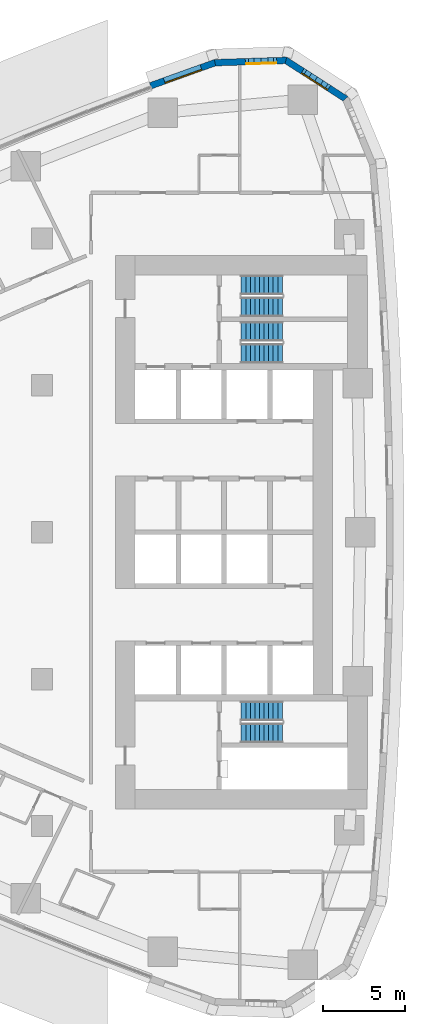
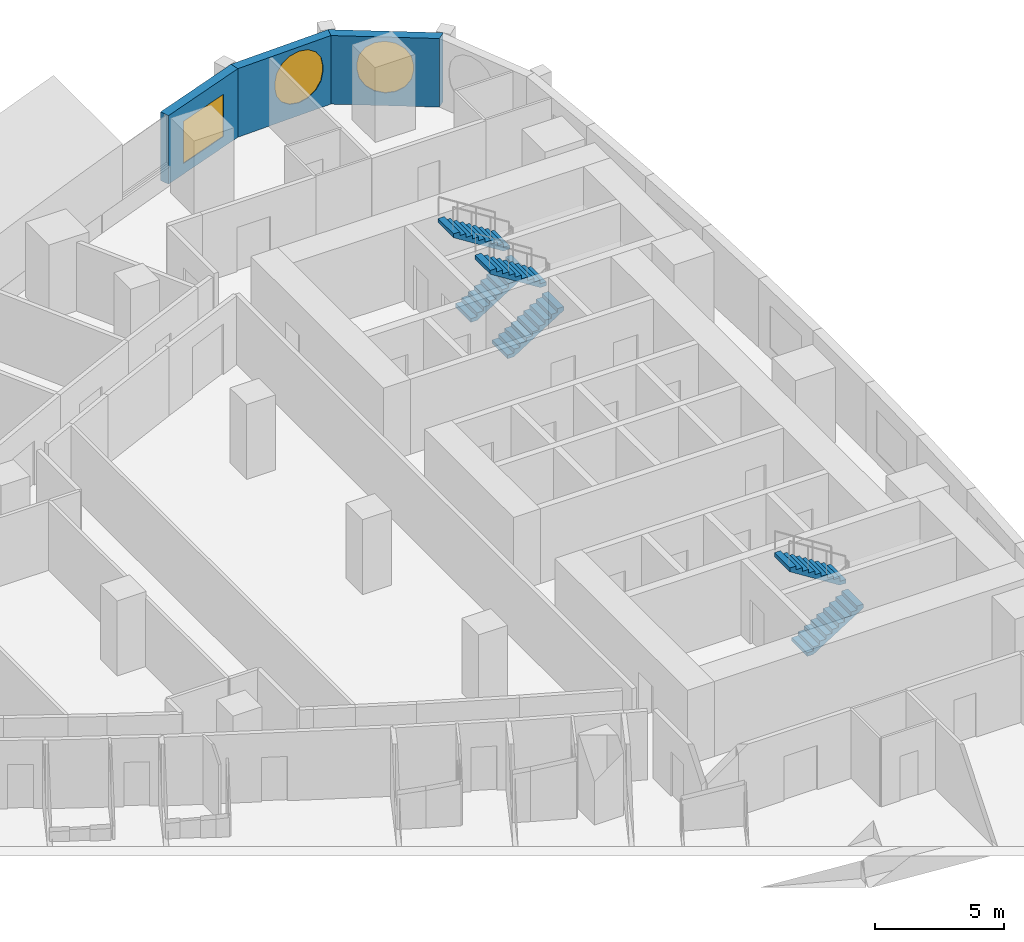
# One storey, part 14 of 19: 6 stair flights, 3 walls, 3 windows, 3 openings, 3 elements without a shape of their own.
"""IFC4 building model written with IfcOpenShell, lengths in metres."""

from ifc_helpers import new_model, si_unit, direction, frame, frame_2d, origin, place, context, subcontext, project, spatial, polyline, rectangle, outline, extrude, material, layer, layer_set, type_object, element, fill, aggregate, save


model = new_model("IFC4")

# Units and contexts
model_context = context("Model", 3, precision=1e-05, world=origin(), true_north=direction((0.0, 1.0)))
body_context = subcontext(model_context, "Body", "Model", "MODEL_VIEW")
ifc_project = project(units=[si_unit("LENGTHUNIT", "METRE"), si_unit("AREAUNIT", "SQUARE_METRE"), si_unit("VOLUMEUNIT", "CUBIC_METRE"), si_unit("PLANEANGLEUNIT", "RADIAN"), si_unit("MASSUNIT", "GRAM", prefix="KILO")], contexts=[model_context])

# Site, building, storey
site_placement = place(None, origin())
site = spatial("IfcSite", under=ifc_project, at=site_placement, CompositionType="ELEMENT")
building_placement = place(site_placement, origin())
building = spatial("IfcBuilding", under=site, at=building_placement, Name="Ostrand Prow Hotel Tower", CompositionType="ELEMENT")
storey_placement = place(building_placement, frame((0.0, 0.0, 46.699951171875)))
storey = spatial("IfcBuildingStorey", under=building, at=storey_placement, Name="L09", CompositionType="ELEMENT", Elevation=46.699951171875)

# Wall, opening, window
ifc_material_1 = material(Name="Precast concrete C40/50", Category="concrete")
ifc_layer = layer(ifc_material_1, 0.39990234375)
ifc_layer_set = layer_set([ifc_layer], Name="Precast concrete C40/50")
wall_type = type_object("IfcWallType", Name="Stone-faced precast wall 400 mm", PredefinedType="NOTDEFINED", material=ifc_layer_set)
wall_1_placement = place(storey_placement, frame((63.58837890625, 26.55810546875, 0.0), z_axis=(0.0, 0.0, 1.0), x_axis=(-0.840937468718, 0.541132307025, 0.0)))
wall_1 = element("IfcWall", 1, at=wall_1_placement, inside=storey, type_object=wall_type, Name="Stone-faced wall back 17", PredefinedType="NOTDEFINED", context=body_context, shape_type="SweptSolid", body=[
    extrude(outline(polyline([(-0.0625, -0.199951171875), (4.40869140625, -0.199951171875), (4.28369140625, 0.199951171875), (0.0625, 0.199951171875), (-0.0625, -0.199951171875)])), origin(), (0.0, 0.0, 1.0), 3.25),
])
opening_1_placement = place(wall_1_placement, frame((1.072998046875, 0.0, 0.60009765625)))
opening_1 = element("IfcOpeningElement", 2, at=opening_1_placement, cuts=wall_1, Name="Opening WP2", PredefinedType="OPENING", context=body_context, shape_type="SweptSolid", body=[
    extrude(outline(polyline([(0.0, 1.35009765625), (0.083740234375, 1.77099609375), (0.322265625, 2.127685546875), (0.678955078125, 2.3662109375), (1.10009765625, 2.449951171875), (1.52099609375, 2.3662109375), (1.877685546875, 2.127685546875), (2.1162109375, 1.77099609375), (2.199951171875, 1.35009765625), (2.199951171875, 1.10009765625), (2.1162109375, 0.678955078125), (1.877685546875, 0.322265625), (1.52099609375, 0.083740234375), (1.10009765625, 0.0), (0.678955078125, 0.083740234375), (0.322265625, 0.322265625), (0.083740234375, 0.678955078125), (0.0, 1.099853515625), (0.0, 1.35009765625)])), frame((0.0, 0.2099609375, 0.0), z_axis=(0.0, -1.0, 0.0), x_axis=(1.0, 0.0, 0.0)), (0.0, 0.0, 1.0), 0.419921875),
])
ifc_material_2 = material(Name="Insulated glass in bronze frame", Category="glass")
window_type_1 = type_object("IfcWindowType", Name="Round-ended prow lounge window 2200x2450", PartitioningType="SINGLE_PANEL", PredefinedType="WINDOW", material=ifc_material_2)
window_1_placement = place(opening_1_placement, origin())
window_1 = element("IfcWindow", 3, at=window_1_placement, inside=storey, type_object=window_type_1, Name="Window back 17.1", OverallHeight=2.449951171875, OverallWidth=2.199951171875, PartitioningType="SINGLE_PANEL", PredefinedType="WINDOW", context=body_context, shape_type="SweptSolid", body=[
    extrude(outline(polyline([(0.0, 1.35009765625), (0.083740234375, 1.77099609375), (0.322265625, 2.127685546875), (0.678955078125, 2.3662109375), (1.10009765625, 2.449951171875), (1.52099609375, 2.3662109375), (1.877685546875, 2.127685546875), (2.1162109375, 1.77099609375), (2.199951171875, 1.35009765625), (2.199951171875, 1.10009765625), (2.1162109375, 0.678955078125), (1.877685546875, 0.322265625), (1.52099609375, 0.083740234375), (1.10009765625, 0.0), (0.678955078125, 0.083740234375), (0.322265625, 0.322265625), (0.083740234375, 0.678955078125), (0.0, 1.099853515625), (0.0, 1.35009765625)])), frame((0.0, 0.169921875, 0.0), z_axis=(0.0, -1.0, 0.0), x_axis=(1.0, 0.0, 0.0)), (0.0, 0.0, 1.0), 0.06005859375),
])
fill(opening_1, window_1)

wall_2_placement = place(storey_placement, frame((59.93359375, 28.909912109375, 0.0), z_axis=(0.0, 0.0, 1.0), x_axis=(-0.999463576228, -0.032749958686, 0.0)))
wall_2 = element("IfcWall", 4, at=wall_2_placement, inside=storey, type_object=wall_type, Name="Stone-faced wall back 18", PredefinedType="NOTDEFINED", context=body_context, shape_type="SweptSolid", body=[
    extrude(outline(polyline([(-0.0625, -0.199951171875), (4.377685546875, -0.199951171875), (4.314697265625, 0.199951171875), (0.0625, 0.199951171875), (-0.0625, -0.199951171875)])), origin(), (0.0, 0.0, 1.0), 3.25),
])
opening_2_placement = place(wall_2_placement, frame((0.421875, 0.0, 0.60009765625)))
opening_2 = element("IfcOpeningElement", 5, at=opening_2_placement, cuts=wall_2, Name="Opening WP2", PredefinedType="OPENING", context=body_context, shape_type="SweptSolid", body=[
    extrude(outline(polyline([(0.0, 1.35009765625), (0.083740234375, 1.77099609375), (0.322265625, 2.127685546875), (0.678955078125, 2.3662109375), (1.10009765625, 2.449951171875), (1.52099609375, 2.3662109375), (1.877685546875, 2.127685546875), (2.1162109375, 1.77099609375), (2.199951171875, 1.35009765625), (2.199951171875, 1.10009765625), (2.1162109375, 0.678955078125), (1.877685546875, 0.322265625), (1.52099609375, 0.083740234375), (1.10009765625, 0.0), (0.678955078125, 0.083740234375), (0.322265625, 0.322265625), (0.083740234375, 0.678955078125), (0.0, 1.099853515625), (0.0, 1.35009765625)])), frame((0.0, 0.2099609375, 0.0), z_axis=(0.0, -1.0, 0.0), x_axis=(1.0, 0.0, 0.0)), (0.0, 0.0, 1.0), 0.419921875),
])
window_2_placement = place(opening_2_placement, origin())
window_2 = element("IfcWindow", 6, at=window_2_placement, inside=storey, type_object=window_type_1, Name="Window back 18.1", OverallHeight=2.449951171875, OverallWidth=2.199951171875, PartitioningType="SINGLE_PANEL", PredefinedType="WINDOW", context=body_context, shape_type="SweptSolid", body=[
    extrude(outline(polyline([(0.0, 1.35009765625), (0.083740234375, 1.77099609375), (0.322265625, 2.127685546875), (0.678955078125, 2.3662109375), (1.10009765625, 2.449951171875), (1.52099609375, 2.3662109375), (1.877685546875, 2.127685546875), (2.1162109375, 1.77099609375), (2.199951171875, 1.35009765625), (2.199951171875, 1.10009765625), (2.1162109375, 0.678955078125), (1.877685546875, 0.322265625), (1.52099609375, 0.083740234375), (1.10009765625, 0.0), (0.678955078125, 0.083740234375), (0.322265625, 0.322265625), (0.083740234375, 0.678955078125), (0.0, 1.099853515625), (0.0, 1.35009765625)])), frame((0.0, 0.169921875, 0.0), z_axis=(0.0, -1.0, 0.0), x_axis=(1.0, 0.0, 0.0)), (0.0, 0.0, 1.0), 0.06005859375),
])
fill(opening_2, window_2)

wall_3_placement = place(storey_placement, frame((55.58984375, 28.767578125, 0.0), z_axis=(0.0, 0.0, 1.0), x_axis=(-0.941339752885, -0.337460323057, 0.0)))
wall_3 = element("IfcWall", 7, at=wall_3_placement, inside=storey, type_object=wall_type, Name="Stone-faced wall back 19", PredefinedType="NOTDEFINED", context=body_context, shape_type="SweptSolid", body=[
    extrude(outline(polyline([(-0.031494140625, -0.199951171875), (4.196044921875, -0.199951171875), (4.196044921875, 0.199951171875), (0.031494140625, 0.199951171875), (-0.031494140625, -0.199951171875)])), origin(), (0.0, 0.0, 1.0), 3.25),
])
opening_3_placement = place(wall_3_placement, frame((0.89794921875, 0.0, 0.5)))
opening_3 = element("IfcOpeningElement", 8, at=opening_3_placement, cuts=wall_3, Name="Opening WA1", PredefinedType="OPENING", context=body_context, shape_type="SweptSolid", body=[
    extrude(rectangle(XDim=2.39990234375, YDim=2.0, at=frame_2d((1.199951171875, 1.0))), frame((0.0, 0.2099609375, 0.0), z_axis=(0.0, -1.0, 0.0), x_axis=(1.0, 0.0, 0.0)), (0.0, 0.0, 1.0), 0.419921875),
])
ifc_material_3 = material(Name="Insulated glass in bronze frame", Category="glass")
window_type_2 = type_object("IfcWindowType", Name="Amenity picture window 2400x2000", PartitioningType="SINGLE_PANEL", PredefinedType="WINDOW", material=ifc_material_3)
window_3_placement = place(opening_3_placement, origin())
window_3 = element("IfcWindow", 9, at=window_3_placement, inside=storey, type_object=window_type_2, Name="Window back 19.1", OverallHeight=2.0, OverallWidth=2.39990234375, PartitioningType="SINGLE_PANEL", PredefinedType="WINDOW", context=body_context, shape_type="SweptSolid", body=[
    extrude(rectangle(XDim=2.39990234375, YDim=2.0, at=frame_2d((1.199951171875, 1.0))), frame((0.0, 0.169921875, 0.0), z_axis=(0.0, -1.0, 0.0), x_axis=(1.0, 0.0, 0.0)), (0.0, 0.0, 1.0), 0.06005859375),
])
fill(opening_3, window_3)

# Stair, stair flights
ifc_material_4 = material(Name="Concrete C40/50", Category="concrete")
stair_type = type_object("IfcStairType", Name="Exit stair 1200 upper zone", PredefinedType="HALF_TURN_STAIR", material=ifc_material_4)
stair_1_placement = place(storey_placement, origin())
stair_1 = element("IfcStair", 10, at=stair_1_placement, inside=storey, type_object=stair_type, Name="L09 ST1C", PredefinedType="HALF_TURN_STAIR")
ifc_material_5 = material(Name="Concrete C40/50", Category="concrete")
stair_flight_type = type_object("IfcStairFlightType", Name="Stair flight 1200 concrete", PredefinedType="STRAIGHT", material=ifc_material_5)
stair_flight_1_placement = place(storey_placement, frame((57.199951171875, 10.949951171875, 0.0), z_axis=(0.0, 0.0, 1.0), x_axis=(1.0, 0.0, 0.0)))
stair_flight_1 = element("IfcStairFlight", 11, at=stair_flight_1_placement, type_object=stair_flight_type, Name="ST1C flight 1", NumberOfRisers=10, NumberOfTreads=9, PredefinedType="STRAIGHT", RiserHeight=0.1775, TreadLength=0.28, context=body_context, shape_type="SweptSolid", body=[
    extrude(outline(polyline([(0.0, 0.0), (0.0, 0.177490234375), (0.280029296875, 0.177490234375), (0.280029296875, 0.35498046875), (0.56005859375, 0.35498046875), (0.56005859375, 0.532470703125), (0.840087890625, 0.532470703125), (0.840087890625, 0.7099609375), (1.1201171875, 0.7099609375), (1.1201171875, 0.887451171875), (1.39990234375, 0.887451171875), (1.39990234375, 1.06494140625), (1.679931640625, 1.06494140625), (1.679931640625, 1.242431640625), (1.9599609375, 1.242431640625), (1.9599609375, 1.419921875), (2.239990234375, 1.419921875), (2.239990234375, 1.597412109375), (2.52001953125, 1.597412109375), (2.52001953125, 1.77490234375), (2.52001953125, 1.419921875), (0.280029296875, 0.0), (0.0, 0.0)])), frame((0.0, 0.60009765625, 0.0), z_axis=(0.0, -1.0, 0.0), x_axis=(1.0, 0.0, 0.0)), (0.0, 0.0, 1.0), 1.199951171875),
])
stair_flight_2_placement = place(storey_placement, frame((59.719970703125, 12.300048828125, 1.775146484375), z_axis=(0.0, 0.0, 1.0), x_axis=(-1.0, 0.0, 0.0)))
stair_flight_2 = element("IfcStairFlight", 12, at=stair_flight_2_placement, type_object=stair_flight_type, Name="ST1C flight 2", NumberOfRisers=10, NumberOfTreads=9, PredefinedType="STRAIGHT", RiserHeight=0.1775, TreadLength=0.28, context=body_context, shape_type="SweptSolid", body=[
    extrude(outline(polyline([(0.0, 0.0), (0.0, 0.177490234375), (0.280029296875, 0.177490234375), (0.280029296875, 0.35498046875), (0.56005859375, 0.35498046875), (0.56005859375, 0.532470703125), (0.840087890625, 0.532470703125), (0.840087890625, 0.7099609375), (1.1201171875, 0.7099609375), (1.1201171875, 0.887451171875), (1.39990234375, 0.887451171875), (1.39990234375, 1.06494140625), (1.679931640625, 1.06494140625), (1.679931640625, 1.242431640625), (1.9599609375, 1.242431640625), (1.9599609375, 1.419921875), (2.239990234375, 1.419921875), (2.239990234375, 1.597412109375), (2.52001953125, 1.597412109375), (2.52001953125, 1.77490234375), (2.52001953125, 1.419921875), (0.280029296875, 0.0), (0.0, 0.0)])), frame((0.0, 0.60009765625, 0.0), z_axis=(0.0, -1.0, 0.0), x_axis=(1.0, 0.0, 0.0)), (0.0, 0.0, 1.0), 1.199951171875),
])
aggregate(stair_1, [stair_flight_1, stair_flight_2])

stair_2_placement = place(storey_placement, origin())
stair_2 = element("IfcStair", 13, at=stair_2_placement, inside=storey, type_object=stair_type, Name="L09 ST3C", PredefinedType="HALF_TURN_STAIR")
stair_flight_3_placement = place(storey_placement, frame((57.199951171875, 13.800048828125, 0.0), z_axis=(0.0, 0.0, 1.0), x_axis=(1.0, 0.0, 0.0)))
stair_flight_3 = element("IfcStairFlight", 14, at=stair_flight_3_placement, type_object=stair_flight_type, Name="ST3C flight 1", NumberOfRisers=10, NumberOfTreads=9, PredefinedType="STRAIGHT", RiserHeight=0.1775, TreadLength=0.28, context=body_context, shape_type="SweptSolid", body=[
    extrude(outline(polyline([(0.0, 0.0), (0.0, 0.177490234375), (0.280029296875, 0.177490234375), (0.280029296875, 0.35498046875), (0.56005859375, 0.35498046875), (0.56005859375, 0.532470703125), (0.840087890625, 0.532470703125), (0.840087890625, 0.7099609375), (1.1201171875, 0.7099609375), (1.1201171875, 0.887451171875), (1.39990234375, 0.887451171875), (1.39990234375, 1.06494140625), (1.679931640625, 1.06494140625), (1.679931640625, 1.242431640625), (1.9599609375, 1.242431640625), (1.9599609375, 1.419921875), (2.239990234375, 1.419921875), (2.239990234375, 1.597412109375), (2.52001953125, 1.597412109375), (2.52001953125, 1.77490234375), (2.52001953125, 1.419921875), (0.280029296875, 0.0), (0.0, 0.0)])), frame((0.0, 0.60009765625, 0.0), z_axis=(0.0, -1.0, 0.0), x_axis=(1.0, 0.0, 0.0)), (0.0, 0.0, 1.0), 1.199951171875),
])
stair_flight_4_placement = place(storey_placement, frame((59.719970703125, 15.14990234375, 1.775146484375), z_axis=(0.0, 0.0, 1.0), x_axis=(-1.0, 0.0, 0.0)))
stair_flight_4 = element("IfcStairFlight", 15, at=stair_flight_4_placement, type_object=stair_flight_type, Name="ST3C flight 2", NumberOfRisers=10, NumberOfTreads=9, PredefinedType="STRAIGHT", RiserHeight=0.1775, TreadLength=0.28, context=body_context, shape_type="SweptSolid", body=[
    extrude(outline(polyline([(0.0, 0.0), (0.0, 0.177490234375), (0.280029296875, 0.177490234375), (0.280029296875, 0.35498046875), (0.56005859375, 0.35498046875), (0.56005859375, 0.532470703125), (0.840087890625, 0.532470703125), (0.840087890625, 0.7099609375), (1.1201171875, 0.7099609375), (1.1201171875, 0.887451171875), (1.39990234375, 0.887451171875), (1.39990234375, 1.06494140625), (1.679931640625, 1.06494140625), (1.679931640625, 1.242431640625), (1.9599609375, 1.242431640625), (1.9599609375, 1.419921875), (2.239990234375, 1.419921875), (2.239990234375, 1.597412109375), (2.52001953125, 1.597412109375), (2.52001953125, 1.77490234375), (2.52001953125, 1.419921875), (0.280029296875, 0.0), (0.0, 0.0)])), frame((0.0, 0.60009765625, 0.0), z_axis=(0.0, -1.0, 0.0), x_axis=(1.0, 0.0, 0.0)), (0.0, 0.0, 1.0), 1.199951171875),
])
aggregate(stair_2, [stair_flight_3, stair_flight_4])

stair_3_placement = place(storey_placement, origin())
stair_3 = element("IfcStair", 16, at=stair_3_placement, inside=storey, type_object=stair_type, Name="L09 ST2C", PredefinedType="HALF_TURN_STAIR")
stair_flight_5_placement = place(storey_placement, frame((57.199951171875, -12.300048828125, 0.0), z_axis=(0.0, 0.0, 1.0), x_axis=(1.0, 0.0, 0.0)))
stair_flight_5 = element("IfcStairFlight", 17, at=stair_flight_5_placement, type_object=stair_flight_type, Name="ST2C flight 1", NumberOfRisers=10, NumberOfTreads=9, PredefinedType="STRAIGHT", RiserHeight=0.1775, TreadLength=0.28, context=body_context, shape_type="SweptSolid", body=[
    extrude(outline(polyline([(0.0, 0.0), (0.0, 0.177490234375), (0.280029296875, 0.177490234375), (0.280029296875, 0.35498046875), (0.56005859375, 0.35498046875), (0.56005859375, 0.532470703125), (0.840087890625, 0.532470703125), (0.840087890625, 0.7099609375), (1.1201171875, 0.7099609375), (1.1201171875, 0.887451171875), (1.39990234375, 0.887451171875), (1.39990234375, 1.06494140625), (1.679931640625, 1.06494140625), (1.679931640625, 1.242431640625), (1.9599609375, 1.242431640625), (1.9599609375, 1.419921875), (2.239990234375, 1.419921875), (2.239990234375, 1.597412109375), (2.52001953125, 1.597412109375), (2.52001953125, 1.77490234375), (2.52001953125, 1.419921875), (0.280029296875, 0.0), (0.0, 0.0)])), frame((0.0, 0.60009765625, 0.0), z_axis=(0.0, -1.0, 0.0), x_axis=(1.0, 0.0, 0.0)), (0.0, 0.0, 1.0), 1.199951171875),
])
stair_flight_6_placement = place(storey_placement, frame((59.719970703125, -10.949951171875, 1.775146484375), z_axis=(0.0, 0.0, 1.0), x_axis=(-1.0, 0.0, 0.0)))
stair_flight_6 = element("IfcStairFlight", 18, at=stair_flight_6_placement, type_object=stair_flight_type, Name="ST2C flight 2", NumberOfRisers=10, NumberOfTreads=9, PredefinedType="STRAIGHT", RiserHeight=0.1775, TreadLength=0.28, context=body_context, shape_type="SweptSolid", body=[
    extrude(outline(polyline([(0.0, 0.0), (0.0, 0.177490234375), (0.280029296875, 0.177490234375), (0.280029296875, 0.35498046875), (0.56005859375, 0.35498046875), (0.56005859375, 0.532470703125), (0.840087890625, 0.532470703125), (0.840087890625, 0.7099609375), (1.1201171875, 0.7099609375), (1.1201171875, 0.887451171875), (1.39990234375, 0.887451171875), (1.39990234375, 1.06494140625), (1.679931640625, 1.06494140625), (1.679931640625, 1.242431640625), (1.9599609375, 1.242431640625), (1.9599609375, 1.419921875), (2.239990234375, 1.419921875), (2.239990234375, 1.597412109375), (2.52001953125, 1.597412109375), (2.52001953125, 1.77490234375), (2.52001953125, 1.419921875), (0.280029296875, 0.0), (0.0, 0.0)])), frame((0.0, 0.60009765625, 0.0), z_axis=(0.0, -1.0, 0.0), x_axis=(1.0, 0.0, 0.0)), (0.0, 0.0, 1.0), 1.199951171875),
])
aggregate(stair_3, [stair_flight_5, stair_flight_6])

save(model, "model.ifc")
